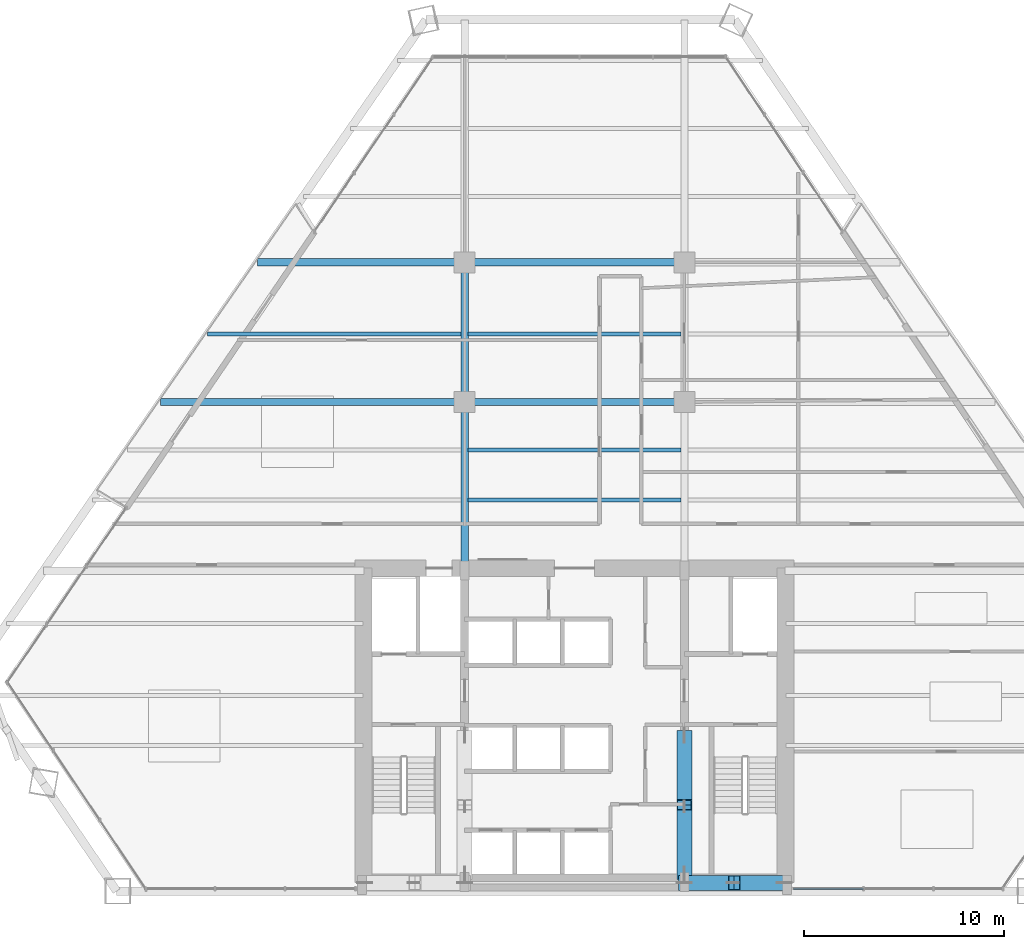
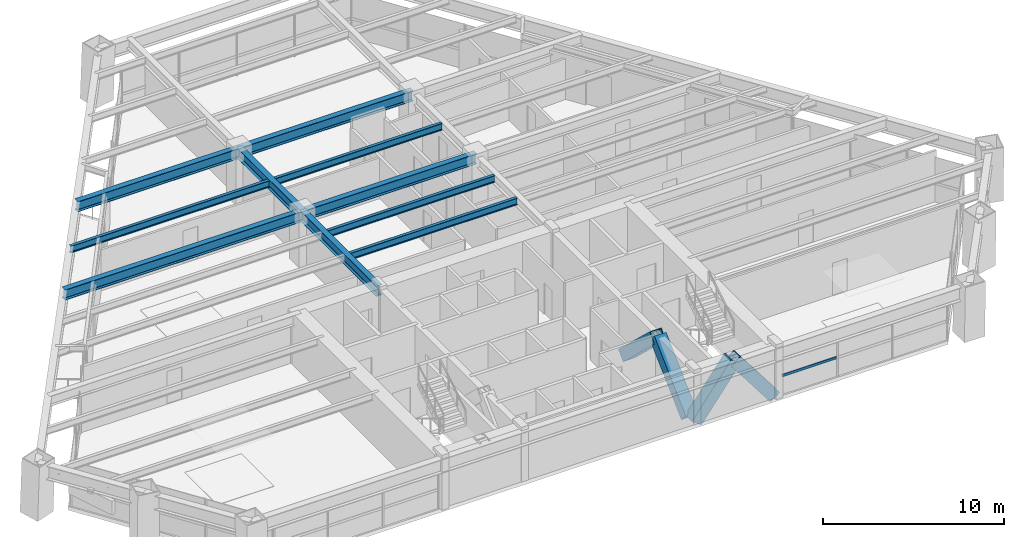
# One storey, part 5 of 14: 10 beams, 5 members, 1 element without a shape of its own.
"""IFC4 building model written with IfcOpenShell, lengths in metres."""

from ifc_helpers import new_model, si_unit, direction, frame, origin, origin_2d, place, context, subcontext, project, spatial, rectangle, hollow_rectangle, i_section, extrude, source, transform, mapped, material, material_profile, profile_set, type_object, type_shapes, element, aggregate, save


model = new_model("IFC4")

# Units and contexts
model_context = context("Model", 3, precision=1e-05, world=origin(), true_north=direction((0.0, 1.0)))
body_context = subcontext(model_context, "Body", "Model", "MODEL_VIEW")
ifc_project = project(units=[si_unit("LENGTHUNIT", "METRE"), si_unit("AREAUNIT", "SQUARE_METRE"), si_unit("VOLUMEUNIT", "CUBIC_METRE"), si_unit("PLANEANGLEUNIT", "RADIAN"), si_unit("MASSUNIT", "GRAM", prefix="KILO")], contexts=[model_context])

# Site, building, storey
site_placement = place(None, origin())
site = spatial("IfcSite", under=ifc_project, at=site_placement, CompositionType="ELEMENT")
building_placement = place(site_placement, origin())
building = spatial("IfcBuilding", under=site, at=building_placement, Name="Varnakhor Terracotta Tower", CompositionType="ELEMENT")
storey_placement = place(building_placement, frame((0.0, 0.0, 49.699951171875)))
storey = spatial("IfcBuildingStorey", under=building, at=storey_placement, Name="L11", CompositionType="ELEMENT", Elevation=49.699951171875)

# Beams
ifc_material_1 = material(Name="Steel S355", Category="steel")
ifc_material_profile_1 = material_profile(ifc_material_1, i_section(OverallWidth=0.35498046875, OverallDepth=0.695068359375, WebThickness=0.014892578125, FlangeThickness=0.02490234375, FilletRadius=0.01806640625, at=origin_2d()), Name="W27X146")
ifc_profile_set_1 = profile_set([ifc_material_profile_1], Name="Steel S355")
beam_type_1 = type_object("IfcBeamType", Name="BM-W27X146", PredefinedType="BEAM", material=ifc_profile_set_1)
shared_shape_1 = source(origin(), body_context, "Body", "SweptSolid", [
    extrude(i_section(OverallWidth=0.35498046875, OverallDepth=0.695068359375, WebThickness=0.014892578125, FlangeThickness=0.02490234375, FilletRadius=0.01806640625, at=origin_2d()), origin(), (0.0, 0.0, 1.0), 8.449951171875),
])
type_shapes(beam_type_1, [shared_shape_1])
beam_1_placement = place(storey_placement, frame((-5.5, 16.050048828125, 3.1025390625), z_axis=(0.0, 1.0, 0.0), x_axis=(-1.0, 0.0, 0.0)))
element("IfcBeam", 1, at=beam_1_placement, inside=storey, type_object=beam_type_1, Name="L11 Primary Girder NS1-W", PredefinedType="BEAM", context=body_context, shape_type="MappedRepresentation", body=[
    mapped(shared_shape_1, transform((0.0, 0.0, 0.0), scale=1.0)),
])
shared_shape_2 = source(origin(), body_context, "Body", "SweptSolid", [
    extrude(i_section(OverallWidth=0.35498046875, OverallDepth=0.695068359375, WebThickness=0.014892578125, FlangeThickness=0.02490234375, FilletRadius=0.01806640625, at=origin_2d()), origin(), (0.0, 0.0, 1.0), 7.0),
])
beam_2_placement = place(storey_placement, frame((-5.5, 24.5, 3.1025390625), z_axis=(0.0, 1.0, 0.0), x_axis=(-1.0, 0.0, 0.0)))
element("IfcBeam", 2, at=beam_2_placement, inside=storey, type_object=beam_type_1, Name="L11 Primary Girder NS2-W", PredefinedType="BEAM", context=body_context, shape_type="MappedRepresentation", body=[
    mapped(shared_shape_2, transform((0.0, 0.0, 0.0), scale=1.0)),
])
shared_shape_3 = source(origin(), body_context, "Body", "SweptSolid", [
    extrude(i_section(OverallWidth=0.35498046875, OverallDepth=0.695068359375, WebThickness=0.014892578125, FlangeThickness=0.02490234375, FilletRadius=0.01806640625, at=origin_2d()), origin(), (0.0, 0.0, 1.0), 11.0),
])
for number, where, z_axis, x_axis, name in (
    (3, (-5.5, 24.5, 3.1025390625), (1.0, 0.0, 0.0), (0.0, 1.0, 0.0), "L11 Primary Girder EW2-2"),
    (4, (-5.5, 31.5, 3.1025390625), (1.0, 0.0, 0.0), (0.0, 1.0, 0.0), "L11 Primary Girder EW3-2"),
):
    element("IfcBeam", number, at=place(storey_placement, frame(where, z_axis=z_axis, x_axis=x_axis)), inside=storey, type_object=beam_type_1, Name=name, PredefinedType="BEAM", context=body_context, shape_type="MappedRepresentation", body=[
        mapped(shared_shape_3, transform((0.0, 0.0, 0.0), scale=1.0)),
    ])
ifc_material_profile_2 = material_profile(ifc_material_1, i_section(OverallWidth=0.19189453125, OverallDepth=0.462890625, WebThickness=0.010498046875, FlangeThickness=0.017578125, FilletRadius=0.01806640625, at=origin_2d()), Name="W18X60")
ifc_profile_set_2 = profile_set([ifc_material_profile_2], Name="Steel S355")
beam_type_2 = type_object("IfcBeamType", Name="JST-W18X60", PredefinedType="JOIST", material=ifc_profile_set_2)
shared_shape_4 = source(origin(), body_context, "Body", "SweptSolid", [
    extrude(i_section(OverallWidth=0.19189453125, OverallDepth=0.462890625, WebThickness=0.010498046875, FlangeThickness=0.017578125, FilletRadius=0.01806640625, at=origin_2d()), origin(), (0.0, 0.0, 1.0), 10.65283203125),
])
for number, where, z_axis, x_axis, name in (
    (5, (-5.326416015625, 19.60009765625, 3.218505859375), (1.0, 0.0, 0.0), (0.0, 1.0, 0.0), "L11 Composite Floor Joist 4-2"),
    (6, (-5.326416015625, 22.10009765625, 3.218505859375), (1.0, 0.0, 0.0), (0.0, 1.0, 0.0), "L11 Composite Floor Joist 5-2"),
    (7, (-5.326416015625, 27.89990234375, 3.218505859375), (1.0, 0.0, 0.0), (0.0, 1.0, 0.0), "L11 Composite Floor Joist 6-2"),
):
    element("IfcBeam", number, at=place(storey_placement, frame(where, z_axis=z_axis, x_axis=x_axis)), inside=storey, type_object=beam_type_2, Name=name, PredefinedType="JOIST", context=body_context, shape_type="MappedRepresentation", body=[
        mapped(shared_shape_4, transform((0.0, 0.0, 0.0), scale=1.0)),
    ])

# Members
ifc_material_2 = material(Name="Steel S460", Category="steel")
ifc_material_profile_3 = material_profile(ifc_material_2, hollow_rectangle(XDim=0.75, YDim=0.75, WallThickness=0.044921875, at=origin_2d()), Name="HSS750X750X45")
ifc_profile_set_3 = profile_set([ifc_material_profile_3], Name="Steel S460")
member_type_1 = type_object("IfcMemberType", Name="MBR-MEGA-750", PredefinedType="BRACE", material=ifc_profile_set_3)
shared_shape_5 = source(origin(), body_context, "Body", "SweptSolid", [
    extrude(hollow_rectangle(XDim=0.75, YDim=0.75, WallThickness=0.044921875, at=origin_2d()), origin(), (0.0, 0.0, 1.0), 4.14013671875),
])
type_shapes(member_type_1, [shared_shape_5])
for number, where, z_axis, x_axis, name in (
    (8, (5.5, 0.419921875, 0.0), (0.603852011179, 0.0, 0.797096448741), (0.0, 1.0, 0.0), "L11 Core Coupled Brace CSEA"),
    (9, (10.5, 0.419921875, 0.0), (-0.603852011179, 0.0, 0.797096448741), (0.0, -1.0, 0.0), "L11 Core Coupled Brace CSEB"),
):
    element("IfcMember", number, at=place(storey_placement, frame(where, z_axis=z_axis, x_axis=x_axis)), inside=storey, type_object=member_type_1, Name=name, PredefinedType="BRACE", context=body_context, shape_type="MappedRepresentation", body=[
        mapped(shared_shape_5, transform((0.0, 0.0, 0.0), scale=1.0)),
    ])
shared_shape_6 = source(origin(), body_context, "Body", "SweptSolid", [
    extrude(hollow_rectangle(XDim=0.75, YDim=0.75, WallThickness=0.044921875, at=origin_2d()), origin(), (0.0, 0.0, 1.0), 4.792236328125),
])
for number, where, z_axis, x_axis, name in (
    (10, (5.5, 0.85009765625, 0.0), (0.0, 0.725110085518, 0.688632967466), (-1.0, 0.0, 0.0), "L11 Core Coupled Brace CWEA"),
    (11, (5.5, 7.800048828125, 0.0), (0.0, -0.72513424341, 0.688607529028), (1.0, 0.0, 0.0), "L11 Core Coupled Brace CWEB"),
):
    element("IfcMember", number, at=place(storey_placement, frame(where, z_axis=z_axis, x_axis=x_axis)), inside=storey, type_object=member_type_1, Name=name, PredefinedType="BRACE", context=body_context, shape_type="MappedRepresentation", body=[
        mapped(shared_shape_6, transform((0.0, 0.0, 0.0), scale=1.0)),
    ])

# Beams
shared_shape_7 = source(origin(), body_context, "Body", "SweptSolid", [
    extrude(i_section(OverallWidth=0.35498046875, OverallDepth=0.695068359375, WebThickness=0.014892578125, FlangeThickness=0.02490234375, FilletRadius=0.01806640625, at=origin_2d()), origin(), (0.0, 0.0, 1.0), 15.234130859375),
])
beam_3_placement = place(storey_placement, frame((-20.734130859375, 24.5, 3.1025390625), z_axis=(1.0, 0.0, 0.0), x_axis=(0.0, 1.0, 0.0)))
element("IfcBeam", 12, at=beam_3_placement, inside=storey, type_object=beam_type_1, Name="L11 Primary Girder EW2-1", PredefinedType="BEAM", context=body_context, shape_type="MappedRepresentation", body=[
    mapped(shared_shape_7, transform((0.0, 0.0, 0.0), scale=1.0)),
])
shared_shape_8 = source(origin(), body_context, "Body", "SweptSolid", [
    extrude(i_section(OverallWidth=0.35498046875, OverallDepth=0.695068359375, WebThickness=0.014892578125, FlangeThickness=0.02490234375, FilletRadius=0.01806640625, at=origin_2d()), origin(), (0.0, 0.0, 1.0), 10.374755859375),
])
beam_4_placement = place(storey_placement, frame((-15.874755859375, 31.5, 3.1025390625), z_axis=(1.0, 0.0, 0.0), x_axis=(0.0, 1.0, 0.0)))
element("IfcBeam", 13, at=beam_4_placement, inside=storey, type_object=beam_type_1, Name="L11 Primary Girder EW3-1", PredefinedType="BEAM", context=body_context, shape_type="MappedRepresentation", body=[
    mapped(shared_shape_8, transform((0.0, 0.0, 0.0), scale=1.0)),
])
shared_shape_9 = source(origin(), body_context, "Body", "SweptSolid", [
    extrude(i_section(OverallWidth=0.19189453125, OverallDepth=0.462890625, WebThickness=0.010498046875, FlangeThickness=0.017578125, FilletRadius=0.01806640625, at=origin_2d()), origin(), (0.0, 0.0, 1.0), 12.7001953125),
])
beam_5_placement = place(storey_placement, frame((-18.373779296875, 27.89990234375, 3.218505859375), z_axis=(1.0, 0.0, 0.0), x_axis=(0.0, 1.0, 0.0)))
element("IfcBeam", 14, at=beam_5_placement, inside=storey, type_object=beam_type_2, Name="L11 Composite Floor Joist 6-1", PredefinedType="JOIST", context=body_context, shape_type="MappedRepresentation", body=[
    mapped(shared_shape_9, transform((0.0, 0.0, 0.0), scale=1.0)),
])

# Curtain wall, member
ifc_material_3 = material(Name="Anodised Aluminium Curtain Wall System", Category="aluminium")
curtain_wall_type = type_object("IfcCurtainWallType", Name="CW-SYS-LOW-OFFICE", PredefinedType="NOTDEFINED", material=ifc_material_3)
curtain_wall_placement = place(storey_placement, origin())
curtain_wall = element("IfcCurtainWall", 15, at=curtain_wall_placement, inside=storey, type_object=curtain_wall_type, Name="L11 South Wing Curtain Wall SSE", PredefinedType="NOTDEFINED")
ifc_material_4 = material(Name="Anodised Aluminium 6063-T6", Category="aluminium")
ifc_material_profile_4 = material_profile(ifc_material_4, rectangle(XDim=0.074951171875, YDim=0.1650390625, at=origin_2d()), Name="ALU TRANSOM 75x165")
ifc_profile_set_4 = profile_set([ifc_material_profile_4], Name="Anodised Aluminium 6063-T6")
member_type_2 = type_object("IfcMemberType", Name="CWT-02", PredefinedType="USERDEFINED", material=ifc_profile_set_4)
shared_shape_10 = source(origin(), body_context, "Body", "SweptSolid", [
    extrude(rectangle(XDim=0.074951171875, YDim=0.1650390625, at=origin_2d()), origin(), (0.0, 0.0, 1.0), 3.501220703125),
])
member_placement = place(storey_placement, frame((14.47119140625, 0.1201171875, 1.272705078125), z_axis=(-1.0, 0.0, 0.0), x_axis=(0.0, -1.0, 0.0)))
member = element("IfcMember", 16, at=member_placement, type_object=member_type_2, Name="L11 South Wing Curtain Wall SSE Transom 3", ObjectType="TRANSOM", PredefinedType="USERDEFINED", context=body_context, shape_type="MappedRepresentation", body=[
    mapped(shared_shape_10, transform((0.0, 0.0, 0.0), scale=1.0)),
])
aggregate(curtain_wall, [member])

save(model, "model.ifc")
